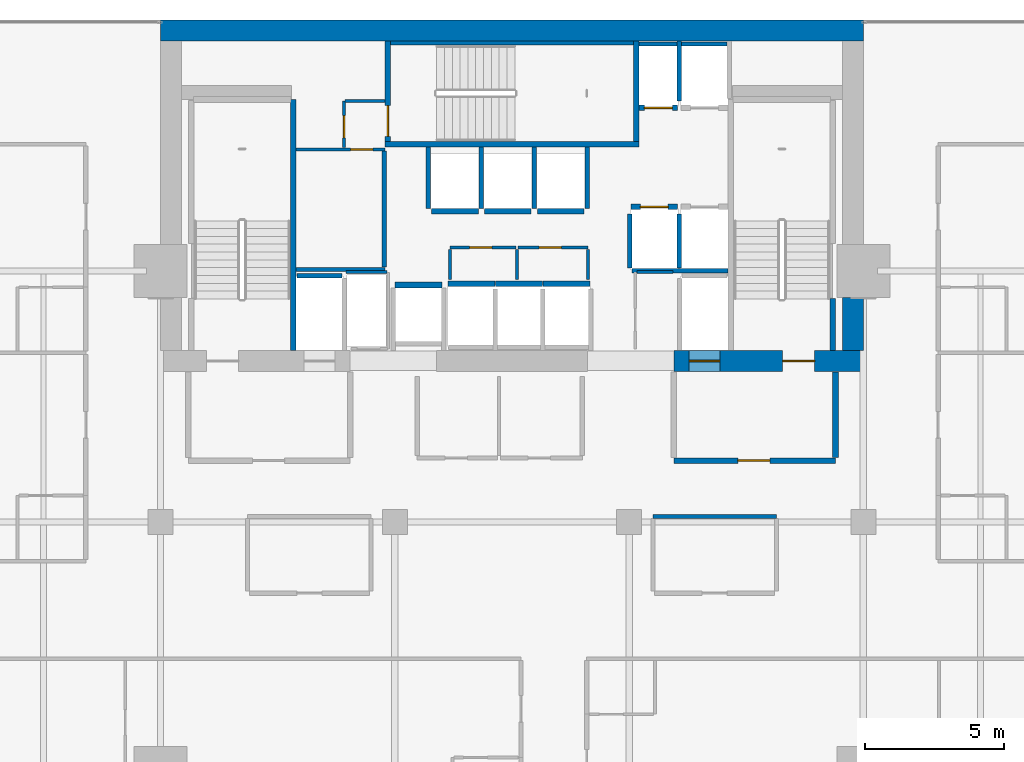
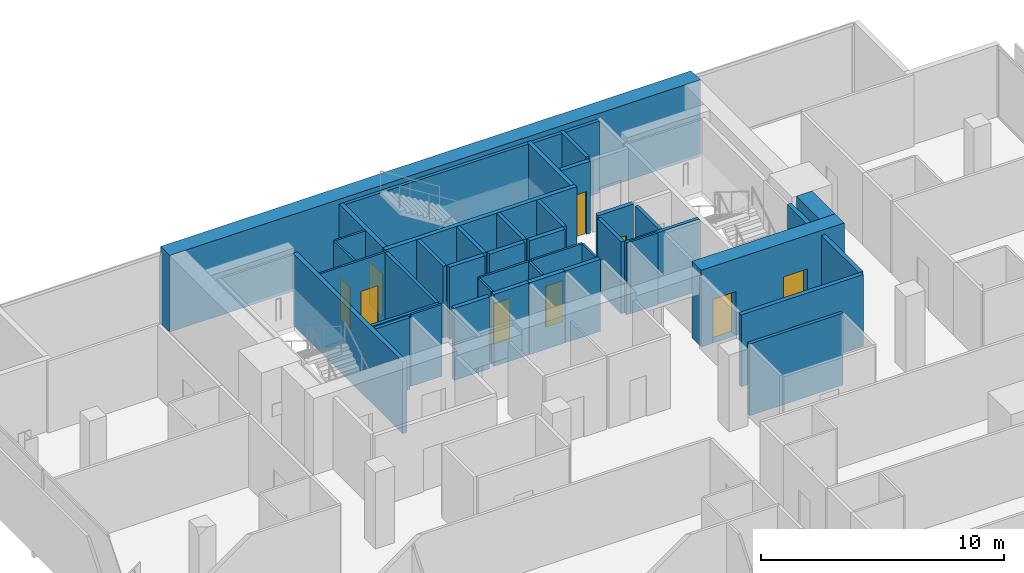
# One storey, part 30 of 33: 43 walls, 10 doors, 10 openings.
"""IFC4 building model written with IfcOpenShell, lengths in metres."""

from ifc_helpers import new_model, si_unit, direction, frame, frame_2d, origin, place, context, subcontext, project, spatial, rectangle, extrude, material, layer, layer_set, type_object, element, fill, save


model = new_model("IFC4")

# Units and contexts
model_context = context("Model", 3, precision=1e-05, world=origin(), true_north=direction((0.0, 1.0)))
body_context = subcontext(model_context, "Body", "Model", "MODEL_VIEW")
ifc_project = project(units=[si_unit("LENGTHUNIT", "METRE"), si_unit("AREAUNIT", "SQUARE_METRE"), si_unit("VOLUMEUNIT", "CUBIC_METRE"), si_unit("PLANEANGLEUNIT", "RADIAN"), si_unit("MASSUNIT", "GRAM", prefix="KILO")], contexts=[model_context])

# Site, building, storey
site_placement = place(None, origin())
site = spatial("IfcSite", under=ifc_project, at=site_placement, CompositionType="ELEMENT")
building_placement = place(site_placement, origin())
building = spatial("IfcBuilding", under=site, at=building_placement, Name="Maruvema Waterfront Hotel and Observation Tower", CompositionType="ELEMENT")
storey_placement = place(building_placement, frame((0.0, 0.0, 158.199951171875)))
storey = spatial("IfcBuildingStorey", under=building, at=storey_placement, Name="L38", CompositionType="ELEMENT", Elevation=158.199951171875)

# Walls
ifc_material_1 = material(Name="Twin-stud acoustic gypsum drywall", Category="gypsum")
ifc_layer_1 = layer(ifc_material_1, 0.14990234375, Name="Acoustic Corridor and Suite Demising Wall 150 mm")
ifc_layer_set_1 = layer_set([ifc_layer_1], Name="Twin-stud acoustic gypsum drywall")
wall_type_1 = type_object("IfcWallType", Name="Acoustic Corridor and Suite Demising Wall 150 mm", PredefinedType="PARTITIONING", material=ifc_layer_set_1)
wall_1_placement = place(storey_placement, frame((30.06005859375, 45.06005859375, 0.0), z_axis=(0.0, 0.0, 1.0), x_axis=(1.0, 0.0, 0.0)))
element("IfcWall", 1, at=wall_1_placement, inside=storey, type_object=wall_type_1, Name="L38 Freed B1 South Wall 017", PredefinedType="PARTITIONING", context=body_context, shape_type="SweptSolid", body=[
    extrude(rectangle(XDim=3.179931640625, YDim=0.14990234375, at=frame_2d((1.58984375, 0.0))), origin(), (0.0, 0.0, 1.0), 3.610107421875),
])
wall_2_placement = place(storey_placement, frame((33.219970703125, 45.139892578125, 0.0), z_axis=(0.0, 0.0, 1.0), x_axis=(0.0, 1.0, 0.0)))
element("IfcWall", 2, at=wall_2_placement, inside=storey, type_object=wall_type_1, Name="L38 Freed B1 East Wall 018", PredefinedType="PARTITIONING", context=body_context, shape_type="SweptSolid", body=[
    extrude(rectangle(XDim=4.16015625, YDim=0.14990234375, at=frame_2d((2.080078125, 0.0))), origin(), (0.0, 0.0, 1.0), 3.610107421875),
])
wall_3_placement = place(storey_placement, frame((42.85009765625, 36.199951171875, 0.0), z_axis=(0.0, 0.0, 1.0), x_axis=(1.0, 0.0, 0.0)))
element("IfcWall", 3, at=wall_3_placement, inside=storey, type_object=wall_type_1, Name="L38 L38-M2 Back Wall 031", PredefinedType="PARTITIONING", context=body_context, shape_type="SweptSolid", body=[
    extrude(rectangle(XDim=4.429931640625, YDim=0.14990234375, at=frame_2d((2.21484375, 0.0))), origin(), (0.0, 0.0, 1.0), 3.610107421875),
])
ifc_material_2 = material(Name="Precast concrete C45/55", Category="concrete")
ifc_layer_2 = layer(ifc_material_2, 0.14990234375, Name="Core Shaft Furring Wall 150 mm")
ifc_layer_set_2 = layer_set([ifc_layer_2], Name="Precast concrete C45/55")
wall_type_2 = type_object("IfcWallType", Name="Core Shaft Furring Wall 150 mm", PredefinedType="SOLIDWALL", material=ifc_layer_set_2)
wall_4_placement = place(storey_placement, frame((33.449951171875, 53.175048828125, 0.0), z_axis=(0.0, 0.0, 1.0), x_axis=(1.0, 0.0, 0.0)))
element("IfcWall", 4, at=wall_4_placement, inside=storey, type_object=wall_type_2, Name="L38 Stairwell ST-02 North Furring Wall", PredefinedType="SOLIDWALL", context=body_context, shape_type="SweptSolid", body=[
    extrude(rectangle(XDim=8.699951171875, YDim=0.14990234375, at=frame_2d((4.35009765625, 0.0))), origin(), (0.0, 0.0, 1.0), 3.610107421875),
])
ifc_material_3 = material(Name="Precast concrete C45/55", Category="concrete")
ifc_layer_3 = layer(ifc_material_3, 0.199951171875, Name="Core Shaft and Stairwell Enclosure Wall 200 mm")
ifc_layer_set_3 = layer_set([ifc_layer_3], Name="Precast concrete C45/55")
wall_type_3 = type_object("IfcWallType", Name="Core Shaft and Stairwell Enclosure Wall 200 mm", PredefinedType="SOLIDWALL", material=ifc_layer_set_3)
wall_5_placement = place(storey_placement, frame((29.949951171875, 42.14990234375, 0.0), z_axis=(0.0, 0.0, 1.0), x_axis=(0.0, 1.0, 0.0)))
element("IfcWall", 5, at=wall_5_placement, inside=storey, type_object=wall_type_3, Name="L38 Stairwell ST-01 East Shaft Wall", PredefinedType="SOLIDWALL", context=body_context, shape_type="SweptSolid", body=[
    extrude(rectangle(XDim=9.0, YDim=0.199951171875, at=frame_2d((4.5, 0.0))), origin(), (0.0, 0.0, 1.0), 3.610107421875),
])
wall_6_placement = place(storey_placement, frame((33.25, 49.550048828125, 0.0), z_axis=(0.0, 0.0, 1.0), x_axis=(1.0, 0.0, 0.0)))
element("IfcWall", 6, at=wall_6_placement, inside=storey, type_object=wall_type_3, Name="L38 Stairwell ST-02 Shaft Wall", PredefinedType="SOLIDWALL", context=body_context, shape_type="SweptSolid", body=[
    extrude(rectangle(XDim=9.10009765625, YDim=0.199951171875, at=frame_2d((4.550048828125, 0.0))), origin(), (0.0, 0.0, 1.0), 3.610107421875),
])
wall_7_placement = place(storey_placement, frame((42.25, 49.64990234375, 0.0), z_axis=(0.0, 0.0, 1.0), x_axis=(0.0, 1.0, 0.0)))
element("IfcWall", 7, at=wall_7_placement, inside=storey, type_object=wall_type_3, Name="L38 Stairwell ST-02 Shaft Wall", PredefinedType="SOLIDWALL", context=body_context, shape_type="SweptSolid", body=[
    extrude(rectangle(XDim=3.60009765625, YDim=0.199951171875, at=frame_2d((1.800048828125, 0.0))), origin(), (0.0, 0.0, 1.0), 3.610107421875),
])

# Wall, opening, door
wall_8_placement = place(storey_placement, frame((33.35009765625, 49.64990234375, 0.0), z_axis=(0.0, 0.0, 1.0), x_axis=(0.0, 1.0, 0.0)))
wall_8 = element("IfcWall", 8, at=wall_8_placement, inside=storey, type_object=wall_type_3, Name="L38 Stairwell ST-02 Shaft Wall", PredefinedType="SOLIDWALL", context=body_context, shape_type="SweptSolid", body=[
    extrude(rectangle(XDim=3.60009765625, YDim=0.199951171875, at=frame_2d((1.800048828125, 0.0))), origin(), (0.0, 0.0, 1.0), 3.610107421875),
])
opening_1_placement = place(wall_8_placement, frame((0.179931640625, 0.0, 0.0)))
opening_1 = element("IfcOpeningElement", 9, at=opening_1_placement, cuts=wall_8, Name="Opening SD-02", PredefinedType="OPENING", context=body_context, shape_type="SweptSolid", body=[
    extrude(rectangle(XDim=1.10009765625, YDim=2.14990234375, at=frame_2d((0.550048828125, 1.074951171875))), frame((0.0, 0.10986328125, 0.0), z_axis=(0.0, -1.0, 0.0), x_axis=(1.0, 0.0, 0.0)), (0.0, 0.0, 1.0), 0.219970703125),
])
ifc_material_4 = material(Name="Fire-rated galvanised steel leaf", Category="steel")
door_type_1 = type_object("IfcDoorType", Name="Central Exit Stair Fire Door 1100x2150 mm", OperationType="NOTDEFINED", PredefinedType="DOOR", material=ifc_material_4)
door_1_placement = place(opening_1_placement, frame((1.10009765625, 0.0, 0.0), z_axis=(0.0, 0.0, 1.0), x_axis=(-1.0, 0.0, 0.0)))
door_1 = element("IfcDoor", 10, at=door_1_placement, inside=storey, type_object=door_type_1, Name="L38 Exit Stair ST-02 Fire Door", OperationType="SINGLE_SWING_LEFT", OverallHeight=2.14990234375, OverallWidth=1.10009765625, PredefinedType="DOOR", context=body_context, shape_type="SweptSolid", body=[
    extrude(rectangle(XDim=1.10009765625, YDim=2.14990234375, at=frame_2d((0.550048828125, 1.074951171875))), frame((0.0, 0.02490234375, 0.0), z_axis=(0.0, -1.0, 0.0), x_axis=(1.0, 0.0, 0.0)), (0.0, 0.0, 1.0), 0.050048828125),
])
fill(opening_1, door_1)

# Wall
wall_9_placement = place(storey_placement, frame((49.300048828125, 42.14990234375, 0.0), z_axis=(0.0, 0.0, 1.0), x_axis=(0.0, 1.0, 0.0)))
element("IfcWall", 11, at=wall_9_placement, inside=storey, type_object=wall_type_3, Name="L38 Stairwell ST-03 Shaft Lining Wall", PredefinedType="SOLIDWALL", context=body_context, shape_type="SweptSolid", body=[
    extrude(rectangle(XDim=1.8701171875, YDim=0.199951171875, at=frame_2d((0.93505859375, 0.0))), origin(), (0.0, 0.0, 1.0), 3.610107421875),
])

# Wall, opening, door
wall_10_placement = place(storey_placement, frame((42.06005859375, 47.300048828125, 0.0), z_axis=(0.0, 0.0, 1.0), x_axis=(1.0, 0.0, 0.0)))
wall_10 = element("IfcWall", 12, at=wall_10_placement, inside=storey, type_object=wall_type_3, Name="L38 Lift LF-05 Hoistway Front Wall", PredefinedType="SOLIDWALL", context=body_context, shape_type="SweptSolid", body=[
    extrude(rectangle(XDim=1.679931640625, YDim=0.199951171875, at=frame_2d((0.83984375, 0.0))), origin(), (0.0, 0.0, 1.0), 3.610107421875),
])
opening_2_placement = place(wall_10_placement, frame((0.340087890625, 0.0, 0.0)))
opening_2 = element("IfcOpeningElement", 13, at=opening_2_placement, cuts=wall_10, Name="Opening LD-01", PredefinedType="OPENING", context=body_context, shape_type="SweptSolid", body=[
    extrude(rectangle(XDim=1.0, YDim=2.14990234375, at=frame_2d((0.5, 1.074951171875))), frame((0.0, 0.10986328125, 0.0), z_axis=(0.0, -1.0, 0.0), x_axis=(1.0, 0.0, 0.0)), (0.0, 0.0, 1.0), 0.219970703125),
])
ifc_material_5 = material(Name="Brushed stainless steel Grade 316", Category="steel")
door_type_2 = type_object("IfcDoorType", Name="Passenger Lift Sliding Landing Door 1000x2150 mm", OperationType="SLIDING_TO_LEFT", PredefinedType="DOOR", material=ifc_material_5)
door_2_placement = place(opening_2_placement, origin())
door_2 = element("IfcDoor", 14, at=door_2_placement, inside=storey, type_object=door_type_2, Name="L38 Lift LF-05 Sliding Landing Door", OperationType="SLIDING_TO_LEFT", OverallHeight=2.14990234375, OverallWidth=1.0, PredefinedType="DOOR", context=body_context, shape_type="SweptSolid", body=[
    extrude(rectangle(XDim=1.0, YDim=2.14990234375, at=frame_2d((0.5, 1.074951171875))), frame((0.0, 0.02490234375, 0.0), z_axis=(0.0, -1.0, 0.0), x_axis=(1.0, 0.0, 0.0)), (0.0, 0.0, 1.0), 0.050048828125),
])
fill(opening_2, door_2)

wall_11_placement = place(storey_placement, frame((42.360107421875, 50.85009765625, 0.0), z_axis=(0.0, 0.0, 1.0), x_axis=(1.0, 0.0, 0.0)))
wall_11 = element("IfcWall", 15, at=wall_11_placement, inside=storey, type_object=wall_type_3, Name="L38 Lift LF-07 Hoistway Front Wall", PredefinedType="SOLIDWALL", context=body_context, shape_type="SweptSolid", body=[
    extrude(rectangle(XDim=1.3798828125, YDim=0.199951171875, at=frame_2d((0.68994140625, 0.0))), origin(), (0.0, 0.0, 1.0), 3.610107421875),
])
opening_3_placement = place(wall_11_placement, frame((0.18994140625, 0.0, 0.0)))
opening_3 = element("IfcOpeningElement", 16, at=opening_3_placement, cuts=wall_11, Name="Opening LD-01", PredefinedType="OPENING", context=body_context, shape_type="SweptSolid", body=[
    extrude(rectangle(XDim=1.0, YDim=2.14990234375, at=frame_2d((0.5, 1.074951171875))), frame((0.0, 0.10986328125, 0.0), z_axis=(0.0, -1.0, 0.0), x_axis=(1.0, 0.0, 0.0)), (0.0, 0.0, 1.0), 0.219970703125),
])
door_3_placement = place(opening_3_placement, frame((1.0, 0.0, 0.0), z_axis=(0.0, 0.0, 1.0), x_axis=(-1.0, 0.0, 0.0)))
door_3 = element("IfcDoor", 17, at=door_3_placement, inside=storey, type_object=door_type_2, Name="L38 Lift LF-07 Sliding Landing Door", OperationType="SLIDING_TO_LEFT", OverallHeight=2.14990234375, OverallWidth=1.0, PredefinedType="DOOR", context=body_context, shape_type="SweptSolid", body=[
    extrude(rectangle(XDim=1.0, YDim=2.14990234375, at=frame_2d((0.5, 1.074951171875))), frame((0.0, 0.02490234375, 0.0), z_axis=(0.0, -1.0, 0.0), x_axis=(1.0, 0.0, 0.0)), (0.0, 0.0, 1.0), 0.050048828125),
])
fill(opening_3, door_3)

# Walls
for number, where, z_axis, x_axis, name in (
    (18, (35.510009765625, 44.550048828125, 0.0), (0.0, 0.0, 1.0), (1.0, 0.0, 0.0), "L38 Lift LF-09 Hoistway Front Wall"),
    (19, (37.2099609375, 44.550048828125, 0.0), (0.0, 0.0, 1.0), (1.0, 0.0, 0.0), "L38 Lift LF-10 Hoistway Front Wall"),
):
    element("IfcWall", number, at=place(storey_placement, frame(where, z_axis=z_axis, x_axis=x_axis)), inside=storey, type_object=wall_type_3, Name=name, PredefinedType="SOLIDWALL", context=body_context, shape_type="SweptSolid", body=[
        extrude(rectangle(XDim=1.679931640625, YDim=0.199951171875, at=frame_2d((0.83984375, 0.0))), origin(), (0.0, 0.0, 1.0), 3.610107421875),
    ])
for number, where, z_axis, x_axis, name in (
    (20, (38.909912109375, 44.550048828125, 0.0), (0.0, 0.0, 1.0), (1.0, 0.0, 0.0), "L38 Lift LF-11 Hoistway Front Wall"),
    (21, (34.909912109375, 47.14990234375, 0.0), (0.0, 0.0, 1.0), (1.0, 0.0, 0.0), "L38 Lift LF-12 Hoistway Front Wall"),
):
    element("IfcWall", number, at=place(storey_placement, frame(where, z_axis=z_axis, x_axis=x_axis)), inside=storey, type_object=wall_type_3, Name=name, PredefinedType="SOLIDWALL", context=body_context, shape_type="SweptSolid", body=[
        extrude(rectangle(XDim=1.68017578125, YDim=0.199951171875, at=frame_2d((0.840087890625, 0.0))), origin(), (0.0, 0.0, 1.0), 3.610107421875),
    ])
for number, where, z_axis, x_axis, name in (
    (22, (36.81005859375, 47.14990234375, 0.0), (0.0, 0.0, 1.0), (1.0, 0.0, 0.0), "L38 Lift LF-13 Hoistway Front Wall"),
    (23, (38.7099609375, 47.14990234375, 0.0), (0.0, 0.0, 1.0), (1.0, 0.0, 0.0), "L38 Lift LF-14 Hoistway Front Wall"),
    (24, (33.610107421875, 44.5, 0.0), (0.0, 0.0, 1.0), (1.0, 0.0, 0.0), "L38 Lift LF-15 Hoistway Front Wall"),
):
    element("IfcWall", number, at=place(storey_placement, frame(where, z_axis=z_axis, x_axis=x_axis)), inside=storey, type_object=wall_type_3, Name=name, PredefinedType="SOLIDWALL", context=body_context, shape_type="SweptSolid", body=[
        extrude(rectangle(XDim=1.679931640625, YDim=0.199951171875, at=frame_2d((0.83984375, 0.0))), origin(), (0.0, 0.0, 1.0), 3.610107421875),
    ])
ifc_material_6 = material(Name="Concrete C70/85", Category="concrete")
ifc_layer_4 = layer(ifc_material_6, 0.75, Name="Core Shear Wall 750 mm")
ifc_layer_set_4 = layer_set([ifc_layer_4], Name="Concrete C70/85")
wall_type_4 = type_object("IfcWallType", Name="Core Shear Wall 750 mm", PredefinedType="SHEAR", material=ifc_layer_set_4)
wall_12_placement = place(storey_placement, frame((25.199951171875, 53.625, 0.0), z_axis=(0.0, 0.0, 1.0), x_axis=(1.0, 0.0, 0.0)))
element("IfcWall", 25, at=wall_12_placement, inside=storey, type_object=wall_type_4, Name="L38 North Core Shear Wall", PredefinedType="SHEAR", context=body_context, shape_type="SweptSolid", body=[
    extrude(rectangle(XDim=25.199951171875, YDim=0.75, at=frame_2d((12.60009765625, 0.0))), origin(), (0.0, 0.0, 1.0), 3.85009765625),
])

# Wall, openings, doors
wall_13_placement = place(storey_placement, frame((43.60009765625, 41.77490234375, 0.0), z_axis=(0.0, 0.0, 1.0), x_axis=(1.0, 0.0, 0.0)))
wall_13 = element("IfcWall", 26, at=wall_13_placement, inside=storey, type_object=wall_type_4, Name="L38 South-East Core Shear Wall", PredefinedType="SHEAR", context=body_context, shape_type="SweptSolid", body=[
    extrude(rectangle(XDim=6.7998046875, YDim=0.75, at=frame_2d((3.39990234375, 0.0))), origin(), (0.0, 0.0, 1.0), 3.85009765625),
])
opening_4_placement = place(wall_13_placement, frame((3.89990234375, 0.0, 0.0)))
opening_4 = element("IfcOpeningElement", 27, at=opening_4_placement, cuts=wall_13, Name="Opening SD-01", PredefinedType="OPENING", context=body_context, shape_type="SweptSolid", body=[
    extrude(rectangle(XDim=1.14990234375, YDim=2.14990234375, at=frame_2d((0.574951171875, 1.074951171875))), frame((0.0, 0.385009765625, 0.0), z_axis=(0.0, -1.0, 0.0), x_axis=(1.0, 0.0, 0.0)), (0.0, 0.0, 1.0), 0.77001953125),
])
opening_5_placement = place(wall_13_placement, frame((0.550048828125, 0.0, 0.0)))
opening_5 = element("IfcOpeningElement", 28, at=opening_5_placement, cuts=wall_13, Name="Opening LD-03", PredefinedType="OPENING", context=body_context, shape_type="SweptSolid", body=[
    extrude(rectangle(XDim=1.10009765625, YDim=2.199951171875, at=frame_2d((0.550048828125, 1.10009765625))), frame((0.0, 0.385009765625, 0.0), z_axis=(0.0, -1.0, 0.0), x_axis=(1.0, 0.0, 0.0)), (0.0, 0.0, 1.0), 0.77001953125),
])
ifc_material_7 = material(Name="Fire-rated galvanised steel leaf", Category="steel")
door_type_3 = type_object("IfcDoorType", Name="Exit Stair Fire Door 1150x2150 mm", OperationType="NOTDEFINED", PredefinedType="DOOR", material=ifc_material_7)
door_4_placement = place(opening_4_placement, origin())
door_4 = element("IfcDoor", 29, at=door_4_placement, inside=storey, type_object=door_type_3, Name="L38 Exit Stair ST-03 Fire Door", OperationType="SINGLE_SWING_RIGHT", OverallHeight=2.14990234375, OverallWidth=1.14990234375, PredefinedType="DOOR", context=body_context, shape_type="SweptSolid", body=[
    extrude(rectangle(XDim=1.14990234375, YDim=2.14990234375, at=frame_2d((0.574951171875, 1.074951171875))), frame((0.0, 0.02490234375, 0.0), z_axis=(0.0, -1.0, 0.0), x_axis=(1.0, 0.0, 0.0)), (0.0, 0.0, 1.0), 0.050048828125),
])
fill(opening_4, door_4)
ifc_material_8 = material(Name="Brushed stainless steel Grade 316", Category="steel")
door_type_4 = type_object("IfcDoorType", Name="Firefighting Lift Sliding Landing Door 1100x2200 mm", OperationType="SLIDING_TO_LEFT", PredefinedType="DOOR", material=ifc_material_8)
door_5_placement = place(opening_5_placement, frame((1.10009765625, 0.0, 0.0), z_axis=(0.0, 0.0, 1.0), x_axis=(-1.0, 0.0, 0.0)))
door_5 = element("IfcDoor", 30, at=door_5_placement, inside=storey, type_object=door_type_4, Name="L38 Firefighting Lift FL-02 Landing Door", OperationType="SLIDING_TO_LEFT", OverallHeight=2.199951171875, OverallWidth=1.10009765625, PredefinedType="DOOR", context=body_context, shape_type="SweptSolid", body=[
    extrude(rectangle(XDim=1.10009765625, YDim=2.199951171875, at=frame_2d((0.550048828125, 1.10009765625))), frame((0.0, 0.02490234375, 0.0), z_axis=(0.0, -1.0, 0.0), x_axis=(1.0, 0.0, 0.0)), (0.0, 0.0, 1.0), 0.050048828125),
])
fill(opening_5, door_5)

# Walls
wall_14_placement = place(storey_placement, frame((50.02490234375, 42.14990234375, 0.0), z_axis=(0.0, 0.0, 1.0), x_axis=(0.0, 1.0, 0.0)))
element("IfcWall", 31, at=wall_14_placement, inside=storey, type_object=wall_type_4, Name="L38 East-South Core Shear Wall", PredefinedType="SHEAR", context=body_context, shape_type="SweptSolid", body=[
    extrude(rectangle(XDim=1.900146484375, YDim=0.75, at=frame_2d((0.9501953125, 0.0))), origin(), (0.0, 0.0, 1.0), 3.85009765625),
])
ifc_material_9 = material(Name="Moisture-resistant cement-board drywall", Category="gypsum")
ifc_layer_5 = layer(ifc_material_9, 0.10009765625, Name="En-Suite Moisture-Resistant Partition 100 mm")
ifc_layer_set_5 = layer_set([ifc_layer_5], Name="Moisture-resistant cement-board drywall")
wall_type_5 = type_object("IfcWallType", Name="En-Suite Moisture-Resistant Partition 100 mm", PredefinedType="PARTITIONING", material=ifc_layer_set_5)
wall_15_placement = place(storey_placement, frame((31.840087890625, 44.9599609375, 0.0), z_axis=(0.0, 0.0, 1.0), x_axis=(1.0, 0.0, 0.0)))
element("IfcWall", 32, at=wall_15_placement, inside=storey, type_object=wall_type_5, Name="L38 Telecom Riser North Wall 008", PredefinedType="PARTITIONING", context=body_context, shape_type="SweptSolid", body=[
    extrude(rectangle(XDim=1.47998046875, YDim=0.10009765625, at=frame_2d((0.739990234375, 0.0))), origin(), (0.0, 0.0, 1.0), 3.610107421875),
])

# Wall, opening, door
wall_16_placement = place(storey_placement, frame((35.580078125, 45.840087890625, 0.0), z_axis=(0.0, 0.0, 1.0), x_axis=(1.0, 0.0, 0.0)))
wall_16 = element("IfcWall", 33, at=wall_16_placement, inside=storey, type_object=wall_type_5, Name="L38 Core Closet K2A North 010", PredefinedType="PARTITIONING", context=body_context, shape_type="SweptSolid", body=[
    extrude(rectangle(XDim=2.35986328125, YDim=0.10009765625, at=frame_2d((1.179931640625, 0.0))), origin(), (0.0, 0.0, 1.0), 3.610107421875),
])
opening_6_placement = place(wall_16_placement, frame((0.699951171875, 0.0, 0.0)))
opening_6 = element("IfcOpeningElement", 34, at=opening_6_placement, cuts=wall_16, Name="Opening DR-080", PredefinedType="OPENING", context=body_context, shape_type="SweptSolid", body=[
    extrude(rectangle(XDim=0.800048828125, YDim=2.050048828125, at=frame_2d((0.39990234375, 1.02490234375))), frame((0.0, 0.06005859375, 0.0), z_axis=(0.0, -1.0, 0.0), x_axis=(1.0, 0.0, 0.0)), (0.0, 0.0, 1.0), 0.1201171875),
])
ifc_material_10 = material(Name="Powder-coated steel access leaf", Category="steel")
door_type_5 = type_object("IfcDoorType", Name="Riser and Service Cupboard Door 800x2050 mm", OperationType="NOTDEFINED", PredefinedType="DOOR", material=ifc_material_10)
door_6_placement = place(opening_6_placement, origin())
door_6 = element("IfcDoor", 35, at=door_6_placement, inside=storey, type_object=door_type_5, Name="L38 Core IT Closet Door", OperationType="SINGLE_SWING_RIGHT", OverallHeight=2.050048828125, OverallWidth=0.800048828125, PredefinedType="DOOR", context=body_context, shape_type="SweptSolid", body=[
    extrude(rectangle(XDim=0.800048828125, YDim=2.050048828125, at=frame_2d((0.39990234375, 1.02490234375))), frame((0.0, 0.02490234375, 0.0), z_axis=(0.0, -1.0, 0.0), x_axis=(1.0, 0.0, 0.0)), (0.0, 0.0, 1.0), 0.050048828125),
])
fill(opening_6, door_6)

wall_17_placement = place(storey_placement, frame((38.02001953125, 45.840087890625, 0.0), z_axis=(0.0, 0.0, 1.0), x_axis=(1.0, 0.0, 0.0)))
wall_17 = element("IfcWall", 36, at=wall_17_placement, inside=storey, type_object=wall_type_5, Name="L38 Core Closet K2B North 011", PredefinedType="PARTITIONING", context=body_context, shape_type="SweptSolid", body=[
    extrude(rectangle(XDim=2.5, YDim=0.10009765625, at=frame_2d((1.25, 0.0))), origin(), (0.0, 0.0, 1.0), 3.610107421875),
])
opening_7_placement = place(wall_17_placement, frame((0.75, 0.0, 0.0)))
opening_7 = element("IfcOpeningElement", 37, at=opening_7_placement, cuts=wall_17, Name="Opening DR-080", PredefinedType="OPENING", context=body_context, shape_type="SweptSolid", body=[
    extrude(rectangle(XDim=0.800048828125, YDim=2.050048828125, at=frame_2d((0.39990234375, 1.02490234375))), frame((0.0, 0.06005859375, 0.0), z_axis=(0.0, -1.0, 0.0), x_axis=(1.0, 0.0, 0.0)), (0.0, 0.0, 1.0), 0.1201171875),
])
door_7_placement = place(opening_7_placement, origin())
door_7 = element("IfcDoor", 38, at=door_7_placement, inside=storey, type_object=door_type_5, Name="L38 Core Linen Cupboard Door", OperationType="SINGLE_SWING_LEFT", OverallHeight=2.050048828125, OverallWidth=0.800048828125, PredefinedType="DOOR", context=body_context, shape_type="SweptSolid", body=[
    extrude(rectangle(XDim=0.800048828125, YDim=2.050048828125, at=frame_2d((0.39990234375, 1.02490234375))), frame((0.0, 0.02490234375, 0.0), z_axis=(0.0, -1.0, 0.0), x_axis=(1.0, 0.0, 0.0)), (0.0, 0.0, 1.0), 0.050048828125),
])
fill(opening_7, door_7)

# Walls
for number, where, z_axis, x_axis, name in (
    (39, (35.580078125, 44.699951171875, 0.0), (0.0, 0.0, 1.0), (0.0, 1.0, 0.0), "L38 Core Closet K2 West 012"),
    (40, (37.97998046875, 44.699951171875, 0.0), (0.0, 0.0, 1.0), (0.0, 1.0, 0.0), "L38 Core Closet K2 Mid 013"),
    (41, (40.52001953125, 44.699951171875, 0.0), (0.0, 0.0, 1.0), (0.0, 1.0, 0.0), "L38 Core Closet K2 East 014"),
):
    element("IfcWall", number, at=place(storey_placement, frame(where, z_axis=z_axis, x_axis=x_axis)), inside=storey, type_object=wall_type_5, Name=name, PredefinedType="PARTITIONING", context=body_context, shape_type="SweptSolid", body=[
        extrude(rectangle(XDim=1.080078125, YDim=0.10009765625, at=frame_2d((0.5400390625, 0.0))), origin(), (0.0, 0.0, 1.0), 3.610107421875),
    ])
wall_18_placement = place(storey_placement, frame((42.280029296875, 44.9599609375, 0.0), z_axis=(0.0, 0.0, 1.0), x_axis=(1.0, 0.0, 0.0)))
element("IfcWall", 42, at=wall_18_placement, inside=storey, type_object=wall_type_5, Name="L38 Core Closet K2C North 016", PredefinedType="PARTITIONING", context=body_context, shape_type="SweptSolid", body=[
    extrude(rectangle(XDim=1.300048828125, YDim=0.10009765625, at=frame_2d((0.64990234375, 0.0))), origin(), (0.0, 0.0, 1.0), 3.610107421875),
])

# Wall, opening, door
wall_19_placement = place(storey_placement, frame((30.06005859375, 49.360107421875, 0.0), z_axis=(0.0, 0.0, 1.0), x_axis=(1.0, 0.0, 0.0)))
wall_19 = element("IfcWall", 43, at=wall_19_placement, inside=storey, type_object=wall_type_5, Name="L38 Freed B1 Mid Wall 019", PredefinedType="PARTITIONING", context=body_context, shape_type="SweptSolid", body=[
    extrude(rectangle(XDim=3.179931640625, YDim=0.10009765625, at=frame_2d((1.58984375, 0.0))), origin(), (0.0, 0.0, 1.0), 3.610107421875),
])
opening_8_placement = place(wall_19_placement, frame((1.949951171875, 0.0, 0.0)))
opening_8 = element("IfcOpeningElement", 44, at=opening_8_placement, cuts=wall_19, Name="Opening DR-080", PredefinedType="OPENING", context=body_context, shape_type="SweptSolid", body=[
    extrude(rectangle(XDim=0.800048828125, YDim=2.050048828125, at=frame_2d((0.39990234375, 1.02490234375))), frame((0.0, 0.06005859375, 0.0), z_axis=(0.0, -1.0, 0.0), x_axis=(1.0, 0.0, 0.0)), (0.0, 0.0, 1.0), 0.1201171875),
])
door_8_placement = place(opening_8_placement, origin())
door_8 = element("IfcDoor", 45, at=door_8_placement, inside=storey, type_object=door_type_5, Name="L38 Housekeeping and Linen Room Door", OperationType="SINGLE_SWING_LEFT", OverallHeight=2.050048828125, OverallWidth=0.800048828125, PredefinedType="DOOR", context=body_context, shape_type="SweptSolid", body=[
    extrude(rectangle(XDim=0.800048828125, YDim=2.050048828125, at=frame_2d((0.39990234375, 1.02490234375))), frame((0.0, 0.02490234375, 0.0), z_axis=(0.0, -1.0, 0.0), x_axis=(1.0, 0.0, 0.0)), (0.0, 0.0, 1.0), 0.050048828125),
])
fill(opening_8, door_8)

wall_20_placement = place(storey_placement, frame((31.780029296875, 49.419921875, 0.0), z_axis=(0.0, 0.0, 1.0), x_axis=(0.0, 1.0, 0.0)))
wall_20 = element("IfcWall", 46, at=wall_20_placement, inside=storey, type_object=wall_type_5, Name="L38 Freed B1 NW East Wall 020", PredefinedType="PARTITIONING", context=body_context, shape_type="SweptSolid", body=[
    extrude(rectangle(XDim=1.68017578125, YDim=0.10009765625, at=frame_2d((0.840087890625, 0.0))), origin(), (0.0, 0.0, 1.0), 3.610107421875),
])
opening_9_placement = place(wall_20_placement, frame((0.35009765625, 0.0, 0.0)))
opening_9 = element("IfcOpeningElement", 47, at=opening_9_placement, cuts=wall_20, Name="Opening DR-080", PredefinedType="OPENING", context=body_context, shape_type="SweptSolid", body=[
    extrude(rectangle(XDim=0.800048828125, YDim=2.050048828125, at=frame_2d((0.39990234375, 1.02490234375))), frame((0.0, 0.06005859375, 0.0), z_axis=(0.0, -1.0, 0.0), x_axis=(1.0, 0.0, 0.0)), (0.0, 0.0, 1.0), 0.1201171875),
])
door_9_placement = place(opening_9_placement, origin())
door_9 = element("IfcDoor", 48, at=door_9_placement, inside=storey, type_object=door_type_5, Name="L38 Guest Floor Pantry Door", OperationType="SINGLE_SWING_RIGHT", OverallHeight=2.050048828125, OverallWidth=0.800048828125, PredefinedType="DOOR", context=body_context, shape_type="SweptSolid", body=[
    extrude(rectangle(XDim=0.800048828125, YDim=2.050048828125, at=frame_2d((0.39990234375, 1.02490234375))), frame((0.0, 0.02490234375, 0.0), z_axis=(0.0, -1.0, 0.0), x_axis=(1.0, 0.0, 0.0)), (0.0, 0.0, 1.0), 0.050048828125),
])
fill(opening_9, door_9)

# Wall
wall_21_placement = place(storey_placement, frame((31.820068359375, 51.10009765625, 0.0), z_axis=(0.0, 0.0, 1.0), x_axis=(1.0, 0.0, 0.0)))
element("IfcWall", 49, at=wall_21_placement, inside=storey, type_object=wall_type_5, Name="L38 Freed B1 Vestibule North Wall 021", PredefinedType="PARTITIONING", context=body_context, shape_type="SweptSolid", body=[
    extrude(rectangle(XDim=1.419921875, YDim=0.10009765625, at=frame_2d((0.7099609375, 0.0))), origin(), (0.0, 0.0, 1.0), 3.610107421875),
])

# Wall, opening, door
ifc_material_11 = material(Name="Autoclaved cellular concrete blockwork", Category="masonry")
ifc_layer_6 = layer(ifc_material_11, 0.199951171875, Name="Fire Compartment Masonry Wall 200 mm")
ifc_layer_set_6 = layer_set([ifc_layer_6], Name="Autoclaved cellular concrete blockwork")
wall_type_6 = type_object("IfcWallType", Name="Fire Compartment Masonry Wall 200 mm", PredefinedType="PARTITIONING", material=ifc_layer_set_6)
wall_22_placement = place(storey_placement, frame((43.60009765625, 38.199951171875, 0.0), z_axis=(0.0, 0.0, 1.0), x_axis=(1.0, 0.0, 0.0)))
wall_22 = element("IfcWall", 50, at=wall_22_placement, inside=storey, type_object=wall_type_6, Name="L38 FFL East South Wall 004", PredefinedType="PARTITIONING", context=body_context, shape_type="SweptSolid", body=[
    extrude(rectangle(XDim=5.7998046875, YDim=0.199951171875, at=frame_2d((2.89990234375, 0.0))), origin(), (0.0, 0.0, 1.0), 3.610107421875),
])
opening_10_placement = place(wall_22_placement, frame((2.300048828125, 0.0, 0.0)))
opening_10 = element("IfcOpeningElement", 51, at=opening_10_placement, cuts=wall_22, Name="Opening FD-115", PredefinedType="OPENING", context=body_context, shape_type="SweptSolid", body=[
    extrude(rectangle(XDim=1.14990234375, YDim=2.14990234375, at=frame_2d((0.574951171875, 1.074951171875))), frame((0.0, 0.10986328125, 0.0), z_axis=(0.0, -1.0, 0.0), x_axis=(1.0, 0.0, 0.0)), (0.0, 0.0, 1.0), 0.219970703125),
])
ifc_material_12 = material(Name="Fire-rated galvanised steel and vision glass", Category="steel")
door_type_6 = type_object("IfcDoorType", Name="Firefighting Lobby Fire Door 1150x2150 mm", OperationType="NOTDEFINED", PredefinedType="DOOR", material=ifc_material_12)
door_10_placement = place(opening_10_placement, frame((1.14990234375, 0.0, 0.0), z_axis=(0.0, 0.0, 1.0), x_axis=(-1.0, 0.0, 0.0)))
door_10 = element("IfcDoor", 52, at=door_10_placement, inside=storey, type_object=door_type_6, Name="L38 Firefighting Lobby East Door", OperationType="SINGLE_SWING_RIGHT", OverallHeight=2.14990234375, OverallWidth=1.14990234375, PredefinedType="DOOR", context=body_context, shape_type="SweptSolid", body=[
    extrude(rectangle(XDim=1.14990234375, YDim=2.14990234375, at=frame_2d((0.574951171875, 1.074951171875))), frame((0.0, 0.02490234375, 0.0), z_axis=(0.0, -1.0, 0.0), x_axis=(1.0, 0.0, 0.0)), (0.0, 0.0, 1.0), 0.050048828125),
])
fill(opening_10, door_10)

# Walls
wall_23_placement = place(storey_placement, frame((49.39990234375, 38.31005859375, 0.0), z_axis=(0.0, 0.0, 1.0), x_axis=(0.0, 1.0, 0.0)))
element("IfcWall", 53, at=wall_23_placement, inside=storey, type_object=wall_type_6, Name="L38 FFL East East Wall 006", PredefinedType="PARTITIONING", context=body_context, shape_type="SweptSolid", body=[
    extrude(rectangle(XDim=3.06982421875, YDim=0.199951171875, at=frame_2d((1.534912109375, 0.0))), origin(), (0.0, 0.0, 1.0), 3.610107421875),
])
ifc_material_13 = material(Name="Precast concrete C45/55", Category="concrete")
ifc_layer_7 = layer(ifc_material_13, 0.159912109375, Name="Lift Hoistway Divider Wall 160 mm")
ifc_layer_set_7 = layer_set([ifc_layer_7], Name="Precast concrete C45/55")
wall_type_7 = type_object("IfcWallType", Name="Lift Hoistway Divider Wall 160 mm", PredefinedType="SOLIDWALL", material=ifc_layer_set_7)
wall_24_placement = place(storey_placement, frame((30.10009765625, 44.830078125, 0.0), z_axis=(0.0, 0.0, 1.0), x_axis=(1.0, 0.0, 0.0)))
element("IfcWall", 54, at=wall_24_placement, inside=storey, type_object=wall_type_7, Name="L38 Lift FL-01 Rear Hoistway Wall", PredefinedType="SOLIDWALL", context=body_context, shape_type="SweptSolid", body=[
    extrude(rectangle(XDim=1.599853515625, YDim=0.159912109375, at=frame_2d((0.7998046875, 0.0))), origin(), (0.0, 0.0, 1.0), 3.610107421875),
])
for number, where, z_axis, x_axis, name in (
    (55, (42.02001953125, 45.10009765625, 0.0), (0.0, 0.0, 1.0), (0.0, 1.0, 0.0), "L38 Hoistway Divider Wall"),
    (56, (43.800048828125, 45.10009765625, 0.0), (0.0, 0.0, 1.0), (0.0, 1.0, 0.0), "L38 Hoistway Divider Wall"),
):
    element("IfcWall", number, at=place(storey_placement, frame(where, z_axis=z_axis, x_axis=x_axis)), inside=storey, type_object=wall_type_7, Name=name, PredefinedType="SOLIDWALL", context=body_context, shape_type="SweptSolid", body=[
        extrude(rectangle(XDim=1.949951171875, YDim=0.159912109375, at=frame_2d((0.97509765625, 0.0))), origin(), (0.0, 0.0, 1.0), 3.610107421875),
    ])
wall_25_placement = place(storey_placement, frame((42.10009765625, 45.010009765625, 0.0), z_axis=(0.0, 0.0, 1.0), x_axis=(1.0, 0.0, 0.0)))
element("IfcWall", 57, at=wall_25_placement, inside=storey, type_object=wall_type_7, Name="L38 Hoistway Divider Wall", PredefinedType="SOLIDWALL", context=body_context, shape_type="SweptSolid", body=[
    extrude(rectangle(XDim=3.449951171875, YDim=0.159912109375, at=frame_2d((1.72509765625, 0.0))), origin(), (0.0, 0.0, 1.0), 3.610107421875),
])
wall_26_placement = place(storey_placement, frame((43.800048828125, 51.10009765625, 0.0), z_axis=(0.0, 0.0, 1.0), x_axis=(0.0, 1.0, 0.0)))
element("IfcWall", 58, at=wall_26_placement, inside=storey, type_object=wall_type_7, Name="L38 Hoistway Divider Wall", PredefinedType="SOLIDWALL", context=body_context, shape_type="SweptSolid", body=[
    extrude(rectangle(XDim=2.14990234375, YDim=0.159912109375, at=frame_2d((1.074951171875, 0.0))), origin(), (0.0, 0.0, 1.0), 3.610107421875),
])
wall_27_placement = place(storey_placement, frame((42.360107421875, 53.139892578125, 0.0), z_axis=(0.0, 0.0, 1.0), x_axis=(1.0, 0.0, 0.0)))
element("IfcWall", 59, at=wall_27_placement, inside=storey, type_object=wall_type_7, Name="L38 Hoistway Divider Wall", PredefinedType="SOLIDWALL", context=body_context, shape_type="SweptSolid", body=[
    extrude(rectangle(XDim=3.139892578125, YDim=0.159912109375, at=frame_2d((1.56982421875, 0.0))), origin(), (0.0, 0.0, 1.0), 3.610107421875),
])
for number, where, z_axis, x_axis, name in (
    (60, (34.800048828125, 47.25, 0.0), (0.0, 0.0, 1.0), (0.0, 1.0, 0.0), "L38 Hoistway Divider Wall"),
    (61, (36.699951171875, 47.25, 0.0), (0.0, 0.0, 1.0), (0.0, 1.0, 0.0), "L38 Hoistway Divider Wall"),
    (62, (38.60009765625, 47.25, 0.0), (0.0, 0.0, 1.0), (0.0, 1.0, 0.0), "L38 Hoistway Divider Wall"),
    (63, (40.5, 47.25, 0.0), (0.0, 0.0, 1.0), (0.0, 1.0, 0.0), "L38 Hoistway Divider Wall"),
):
    element("IfcWall", number, at=place(storey_placement, frame(where, z_axis=z_axis, x_axis=x_axis)), inside=storey, type_object=wall_type_7, Name=name, PredefinedType="SOLIDWALL", context=body_context, shape_type="SweptSolid", body=[
        extrude(rectangle(XDim=2.18994140625, YDim=0.159912109375, at=frame_2d((1.094970703125, 0.0))), origin(), (0.0, 0.0, 1.0), 3.610107421875),
    ])

save(model, "model.ifc")
